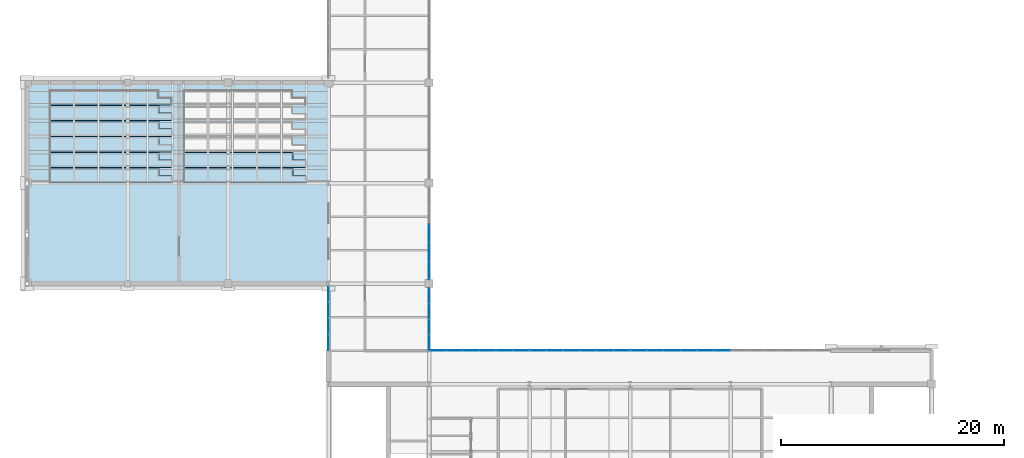
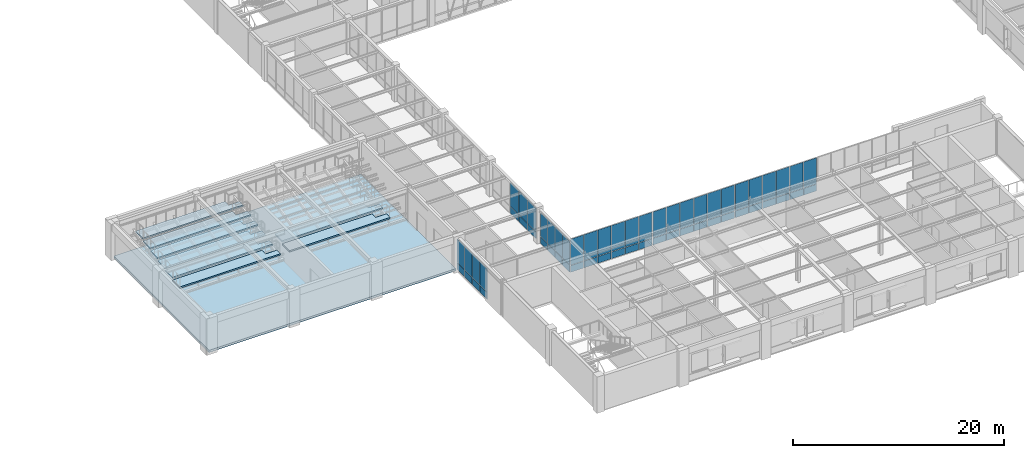
# One storey, part 101 of 130: 58 plates, 9 slabs, 6 elements without a shape of their own.
"""IFC4 building model written with IfcOpenShell, lengths in metres."""

import ifcopenshell
import ifcopenshell.guid

model = None  # the IFC model being written
_history = None  # IfcOwnerHistory: only IFC2X3 demands one
_inside = {}  # id of a spatial element -> (the spatial element, [elements in it])
_under = {}  # id of a project, library or spatial element -> (it, [spatial elements below it])
_declared = {}  # id of a project -> (the project, [libraries it declares])
_typed = {}  # id of a type object -> (the type object, [elements of that type])
_made_of = {}  # id of a material, layer set ... -> (it, [elements and type objects made of it])


def new_model(schema):
    """Start an empty IFC model of exactly this schema.

    Asked for "IFC4X3", IfcOpenShell would pick the latest addendum, in which some entities
    have other attributes; the version numbers below select the first issue.
    IFC2X3 requires an IfcOwnerHistory on every rooted entity: one is made here for all.
    """
    global model, _history
    if schema == "IFC4X3":
        model = ifcopenshell.file(schema_version=(4, 3, 0, 0))
    else:
        model = ifcopenshell.file(schema=schema)
    _inside.clear()
    _under.clear()
    _declared.clear()
    _typed.clear()
    _made_of.clear()
    _history = None
    if model.schema == "IFC2X3":
        org = make("IfcOrganization", Name="unknown")
        user = make(
            "IfcPersonAndOrganization",
            ThePerson=make("IfcPerson", FamilyName="unknown"),
            TheOrganization=org,
        )
        app = make(
            "IfcApplication",
            ApplicationDeveloper=org,
            Version="unknown",
            ApplicationFullName="unknown",
            ApplicationIdentifier="unknown",
        )
        _history = make(
            "IfcOwnerHistory",
            OwningUser=user,
            OwningApplication=app,
            ChangeAction="ADDED",
            CreationDate=0,
        )
    return model


def make(cls, **values):
    """One entity of the class cls with the attributes given. An attribute that is None is left unset."""
    return model.create_entity(
        cls, **{name: value for name, value in values.items() if value is not None}
    )


def rooted(cls, **values):
    """An entity with a GlobalId (a new one), such as an element, a storey or a relation."""
    return make(cls, GlobalId=ifcopenshell.guid.new(), OwnerHistory=_history, **values)


def si_unit(unit_type, name, prefix=None):
    """IfcSIUnit, for example si_unit("LENGTHUNIT", "METRE", prefix="MILLI")."""
    return make("IfcSIUnit", UnitType=unit_type, Prefix=prefix, Name=name)


def assignment(units):
    """IfcUnitAssignment: the units of a project."""
    return None if units is None else make("IfcUnitAssignment", Units=units)


def point(xyz):
    """IfcCartesianPoint."""
    return None if xyz is None else make("IfcCartesianPoint", Coordinates=xyz)


def direction(xyz):
    """IfcDirection."""
    return None if xyz is None else make("IfcDirection", DirectionRatios=xyz)


def frame(location, z_axis=None, x_axis=None):
    """IfcAxis2Placement3D, a coordinate frame: its origin and axes. An axis left out is left unset."""
    return make(
        "IfcAxis2Placement3D",
        Location=point(location),
        Axis=direction(z_axis),
        RefDirection=direction(x_axis),
    )


def frame_2d(location, x_axis=None):
    """IfcAxis2Placement2D, a coordinate frame in the plane: its origin and x axis."""
    return make(
        "IfcAxis2Placement2D", Location=point(location), RefDirection=direction(x_axis)
    )


def origin():
    """The frame at (0, 0, 0) with its axes left unset."""
    return frame((0.0, 0.0, 0.0))


def origin_2d():
    """The frame at (0, 0) in the plane with its x axis left unset."""
    return frame_2d((0.0, 0.0))


def place(relative_to, where):
    """IfcLocalPlacement: puts the frame where relative to a parent placement (None: the world)."""
    return make(
        "IfcLocalPlacement", PlacementRelTo=relative_to, RelativePlacement=where
    )


def context(
    kind, dimensions, precision=None, world=None, true_north=None, identifier=None
):
    """IfcGeometricRepresentationContext, for example the 3D "Model" context."""
    return make(
        "IfcGeometricRepresentationContext",
        ContextIdentifier=identifier,
        ContextType=kind,
        CoordinateSpaceDimension=dimensions,
        Precision=precision,
        WorldCoordinateSystem=world,
        TrueNorth=true_north,
    )


def subcontext(parent, identifier, kind, view, scale=None):
    """IfcGeometricRepresentationSubContext, for example "Body" below "Model"."""
    return make(
        "IfcGeometricRepresentationSubContext",
        ContextIdentifier=identifier,
        ContextType=kind,
        ParentContext=parent,
        TargetScale=scale,
        TargetView=view,
    )


def project(units=None, contexts=None):
    """IfcProject with its units and contexts."""
    return rooted(
        "IfcProject",
        Name="project",
        RepresentationContexts=contexts,
        UnitsInContext=assignment(units),
    )


def spatial(cls, under=None, at=None, **own):
    """A site, building, storey or space (cls), placed at a placement, below another one or the project."""
    s = rooted(cls, ObjectPlacement=at, **own)
    if under is not None:
        _under.setdefault(under.id(), (under, []))[1].append(s)
    return s


def polyline(points):
    """IfcPolyline through the points."""
    return make("IfcPolyline", Points=[point(p) for p in points])


def profile(cls, at=None, kind="AREA", **sizes):
    """A parametric profile (cls). Its sizes go by their IFC names, for example OverallWidth=200.0."""
    return make(cls, ProfileType=kind, Position=at, **sizes)


def rectangle(**sizes):
    """IfcRectangleProfileDef."""
    return profile("IfcRectangleProfileDef", **sizes)


def outline(outer, holes=None, kind="AREA"):
    """IfcArbitraryClosedProfileDef: a profile drawn as a closed curve; with holes, ...WithVoids."""
    if holes is None:
        return make("IfcArbitraryClosedProfileDef", ProfileType=kind, OuterCurve=outer)
    return make(
        "IfcArbitraryProfileDefWithVoids",
        ProfileType=kind,
        OuterCurve=outer,
        InnerCurves=holes,
    )


def extrude(swept, where, along, depth):
    """IfcExtrudedAreaSolid: the profile swept, set in the frame where, extruded along a direction by depth."""
    return make(
        "IfcExtrudedAreaSolid",
        SweptArea=swept,
        Position=where,
        ExtrudedDirection=direction(along),
        Depth=depth,
    )


def shape(context_of_items, identifier, shape_type, items):
    """IfcShapeRepresentation: the items that make up one representation, for example the "Body"."""
    return make(
        "IfcShapeRepresentation",
        ContextOfItems=context_of_items,
        RepresentationIdentifier=identifier,
        RepresentationType=shape_type,
        Items=items,
    )


def material(Name=None, Category=None):
    """IfcMaterial."""
    return make("IfcMaterial", Name=Name, Category=Category)


def layer(
    of_material, thickness, ventilated=None, Name=None, Category=None, Priority=None
):
    """IfcMaterialLayer: one layer of a wall or slab, of a material (None: an air gap)."""
    return make(
        "IfcMaterialLayer",
        Material=of_material,
        LayerThickness=thickness,
        IsVentilated=ventilated,
        Name=Name,
        Category=Category,
        Priority=Priority,
    )


def layer_set(layers, Name=None):
    """IfcMaterialLayerSet."""
    return make("IfcMaterialLayerSet", MaterialLayers=layers, LayerSetName=Name)


def made_of(thing, what):
    """Note that an element or type object is made of a material, layer set ...; save() writes the relation."""
    if what is not None:
        _made_of.setdefault(what.id(), (what, []))[1].append(thing)
    return thing


def type_object(cls, material=None, **own):
    """A type object (cls), such as IfcWallType, which elements share."""
    return made_of(rooted(cls, **own), material)


def element(
    cls,
    number,
    at=None,
    inside=None,
    cuts=None,
    type_object=None,
    material=None,
    context=None,
    identifier="Body",
    shape_type=None,
    held_by="IfcProductDefinitionShape",
    body=None,
    shapes=None,
    **own,
):
    """One element of the class cls, such as IfcWall. Its Tag is "e" and its number.

    at: its placement. inside: the storey or other place that contains it. cuts: it is an
    opening in that element (IfcRelVoidsElement). A single representation is given by context,
    identifier, shape_type and body (its items); several are given by shapes. held_by: the class
    of the entity that holds the representations. save() writes the other relations.
    """
    e = rooted(cls, Tag="e%d" % number, ObjectPlacement=at, **own)
    if body is not None:
        shapes = [shape(context, identifier, shape_type, body)]
    if shapes is not None:
        e.Representation = make(held_by, Representations=shapes)
    if inside is not None:
        _inside.setdefault(inside.id(), (inside, []))[1].append(e)
    if cuts is not None:
        rooted(
            "IfcRelVoidsElement", RelatingBuildingElement=cuts, RelatedOpeningElement=e
        )
    if type_object is not None:
        _typed.setdefault(type_object.id(), (type_object, []))[1].append(e)
    return made_of(e, material)


def aggregate(whole, parts):
    """IfcRelAggregates: a whole, such as a stair, and the parts it consists of."""
    return rooted("IfcRelAggregates", RelatingObject=whole, RelatedObjects=parts)


def save(model, path):
    """Write the relations noted so far, then the file.

    IfcRelAggregates (storeys below a building ...), IfcRelContainedInSpatialStructure (elements
    in a storey), IfcRelDefinesByType, IfcRelAssociatesMaterial and IfcRelDeclares: one each for
    every whole, place, type object, material and project.
    """
    for whole, parts in _under.values():
        aggregate(whole, parts)
    for where, things in _inside.values():
        rooted(
            "IfcRelContainedInSpatialStructure",
            RelatedElements=things,
            RelatingStructure=where,
        )
    for kind, things in _typed.values():
        rooted("IfcRelDefinesByType", RelatedObjects=things, RelatingType=kind)
    for what, things in _made_of.values():
        rooted("IfcRelAssociatesMaterial", RelatedObjects=things, RelatingMaterial=what)
    for by, libraries in _declared.values():
        rooted("IfcRelDeclares", RelatingContext=by, RelatedDefinitions=libraries)
    model.write(path)


model = new_model("IFC4")

# Units and contexts
model_context = context("Model", 3, precision=1e-05, world=origin(), true_north=direction((0.0, 1.0)))
body_context = subcontext(model_context, "Body", "Model", "MODEL_VIEW")
ifc_project = project(units=[si_unit("LENGTHUNIT", "METRE"), si_unit("AREAUNIT", "SQUARE_METRE"), si_unit("VOLUMEUNIT", "CUBIC_METRE"), si_unit("PLANEANGLEUNIT", "RADIAN"), si_unit("MASSUNIT", "GRAM", prefix="KILO")], contexts=[model_context])

# Site, building, storey
site_placement = place(None, origin())
site = spatial("IfcSite", under=ifc_project, at=site_placement, CompositionType="ELEMENT")
building_placement = place(site_placement, origin())
building = spatial("IfcBuilding", under=site, at=building_placement, Name="Lykobir Media Centre", CompositionType="ELEMENT")
storey_placement = place(building_placement, frame((0.0, 0.0, 19.199951171875)))
storey = spatial("IfcBuildingStorey", under=building, at=storey_placement, Name="L04", CompositionType="ELEMENT", Elevation=19.199951171875)

# Curtain wall, plates
ifc_material_1 = material(Name="Anodized Aluminium AW-6060", Category="aluminium")
curtain_wall_type = type_object("IfcCurtainWallType", Name="CW-COURT-B", PredefinedType="NOTDEFINED", material=ifc_material_1)
curtain_wall_1_placement = place(storey_placement, origin())
curtain_wall_1 = element("IfcCurtainWall", 1, at=curtain_wall_1_placement, inside=storey, type_object=curtain_wall_type, Name="Curtain wall CW2-L04-0149", PredefinedType="NOTDEFINED")
ifc_material_2 = material(Name="Low-E Laminated Triple Glazing", Category="glass")
ifc_layer_1 = layer(ifc_material_2, 0.0380859375, Name="Low-E Laminated Triple Glazing")
ifc_layer_set_1 = layer_set([ifc_layer_1], Name="Low-E Laminated Triple Glazing")
plate_type_1 = type_object("IfcPlateType", Name="CWP-GLZ-38", PredefinedType="CURTAIN_PANEL", material=ifc_layer_set_1)
plate_1_placement = place(storey_placement, frame((27.0, 21.73779296875, 0.87744140625), z_axis=(0.0, 0.0, 1.0), x_axis=(0.0, 1.0, 0.0)))
plate_1 = element("IfcPlate", 2, at=plate_1_placement, type_object=plate_type_1, Name="CW2-L04-0149 panel 1.2", PredefinedType="CURTAIN_PANEL", context=body_context, shape_type="SweptSolid", body=[
    extrude(rectangle(XDim=1.365478515625, YDim=0.0380859375, at=origin_2d()), origin(), (0.0, 0.0, 1.0), 2.702392578125),
])
plate_2_placement = place(storey_placement, frame((27.0, 23.171875, 0.87744140625), z_axis=(0.0, 0.0, 1.0), x_axis=(0.0, 1.0, 0.0)))
plate_2 = element("IfcPlate", 3, at=plate_2_placement, type_object=plate_type_1, Name="CW2-L04-0149 panel 2.2", PredefinedType="CURTAIN_PANEL", context=body_context, shape_type="SweptSolid", body=[
    extrude(rectangle(XDim=1.392822265625, YDim=0.0380859375, at=origin_2d()), origin(), (0.0, 0.0, 1.0), 2.702392578125),
])
plate_3_placement = place(storey_placement, frame((27.0, 24.61962890625, 0.87744140625), z_axis=(0.0, 0.0, 1.0), x_axis=(0.0, 1.0, 0.0)))
plate_3 = element("IfcPlate", 4, at=plate_3_placement, type_object=plate_type_1, Name="CW2-L04-0149 panel 3.2", PredefinedType="CURTAIN_PANEL", context=body_context, shape_type="SweptSolid", body=[
    extrude(rectangle(XDim=1.392822265625, YDim=0.0380859375, at=origin_2d()), origin(), (0.0, 0.0, 1.0), 2.702392578125),
])
plate_4_placement = place(storey_placement, frame((27.0, 26.0537109375, 0.87744140625), z_axis=(0.0, 0.0, 1.0), x_axis=(0.0, 1.0, 0.0)))
plate_4 = element("IfcPlate", 5, at=plate_4_placement, type_object=plate_type_1, Name="CW2-L04-0149 panel 4.2", PredefinedType="CURTAIN_PANEL", context=body_context, shape_type="SweptSolid", body=[
    extrude(rectangle(XDim=1.365478515625, YDim=0.0380859375, at=origin_2d()), origin(), (0.0, 0.0, 1.0), 2.702392578125),
])

curtain_wall_2_placement = place(storey_placement, origin())
curtain_wall_2 = element("IfcCurtainWall", 6, at=curtain_wall_2_placement, inside=storey, type_object=curtain_wall_type, Name="Curtain wall CW2-L04-0150", PredefinedType="NOTDEFINED")
plate_5_placement = place(storey_placement, frame((36.763916015625, 21.0, 0.87744140625), z_axis=(0.0, 0.0, 1.0), x_axis=(1.0, 0.0, 0.0)))
plate_5 = element("IfcPlate", 7, at=plate_5_placement, type_object=plate_type_1, Name="CW2-L04-0150 panel 1.2", PredefinedType="CURTAIN_PANEL", context=body_context, shape_type="SweptSolid", body=[
    extrude(rectangle(XDim=1.41748046875, YDim=0.0380859375, at=origin_2d()), origin(), (0.0, 0.0, 1.0), 3.007568359375),
])
plate_6_placement = place(storey_placement, frame((38.25, 21.0, 0.87744140625), z_axis=(0.0, 0.0, 1.0), x_axis=(1.0, 0.0, 0.0)))
plate_6 = element("IfcPlate", 8, at=plate_6_placement, type_object=plate_type_1, Name="CW2-L04-0150 panel 2.2", PredefinedType="CURTAIN_PANEL", context=body_context, shape_type="SweptSolid", body=[
    extrude(rectangle(XDim=1.445068359375, YDim=0.0380859375, at=origin_2d()), origin(), (0.0, 0.0, 1.0), 3.007568359375),
])
plate_7_placement = place(storey_placement, frame((39.75, 21.0, 0.87744140625), z_axis=(0.0, 0.0, 1.0), x_axis=(1.0, 0.0, 0.0)))
plate_7 = element("IfcPlate", 9, at=plate_7_placement, type_object=plate_type_1, Name="CW2-L04-0150 panel 3.2", PredefinedType="CURTAIN_PANEL", context=body_context, shape_type="SweptSolid", body=[
    extrude(rectangle(XDim=1.445068359375, YDim=0.0380859375, at=origin_2d()), origin(), (0.0, 0.0, 1.0), 3.007568359375),
])
plate_8_placement = place(storey_placement, frame((41.25, 21.0, 0.87744140625), z_axis=(0.0, 0.0, 1.0), x_axis=(1.0, 0.0, 0.0)))
plate_8 = element("IfcPlate", 10, at=plate_8_placement, type_object=plate_type_1, Name="CW2-L04-0150 panel 4.2", PredefinedType="CURTAIN_PANEL", context=body_context, shape_type="SweptSolid", body=[
    extrude(rectangle(XDim=1.445068359375, YDim=0.0380859375, at=origin_2d()), origin(), (0.0, 0.0, 1.0), 3.007568359375),
])
plate_9_placement = place(storey_placement, frame((42.75, 21.0, 0.87744140625), z_axis=(0.0, 0.0, 1.0), x_axis=(1.0, 0.0, 0.0)))
plate_9 = element("IfcPlate", 11, at=plate_9_placement, type_object=plate_type_1, Name="CW2-L04-0150 panel 5.2", PredefinedType="CURTAIN_PANEL", context=body_context, shape_type="SweptSolid", body=[
    extrude(rectangle(XDim=1.445068359375, YDim=0.0380859375, at=origin_2d()), origin(), (0.0, 0.0, 1.0), 3.007568359375),
])
plate_10_placement = place(storey_placement, frame((44.236083984375, 21.0, 0.87744140625), z_axis=(0.0, 0.0, 1.0), x_axis=(1.0, 0.0, 0.0)))
plate_10 = element("IfcPlate", 12, at=plate_10_placement, type_object=plate_type_1, Name="CW2-L04-0150 panel 6.2", PredefinedType="CURTAIN_PANEL", context=body_context, shape_type="SweptSolid", body=[
    extrude(rectangle(XDim=1.41748046875, YDim=0.0380859375, at=origin_2d()), origin(), (0.0, 0.0, 1.0), 3.007568359375),
])

curtain_wall_3_placement = place(storey_placement, origin())
curtain_wall_3 = element("IfcCurtainWall", 13, at=curtain_wall_3_placement, inside=storey, type_object=curtain_wall_type, Name="Curtain wall CW2-L04-0151", PredefinedType="NOTDEFINED")
plate_11_placement = place(storey_placement, frame((45.763916015625, 21.0, 0.87744140625), z_axis=(0.0, 0.0, 1.0), x_axis=(1.0, 0.0, 0.0)))
plate_11 = element("IfcPlate", 14, at=plate_11_placement, type_object=plate_type_1, Name="CW2-L04-0151 panel 1.2", PredefinedType="CURTAIN_PANEL", context=body_context, shape_type="SweptSolid", body=[
    extrude(rectangle(XDim=1.41748046875, YDim=0.0380859375, at=origin_2d()), origin(), (0.0, 0.0, 1.0), 3.007568359375),
])
plate_12_placement = place(storey_placement, frame((47.25, 21.0, 0.87744140625), z_axis=(0.0, 0.0, 1.0), x_axis=(1.0, 0.0, 0.0)))
plate_12 = element("IfcPlate", 15, at=plate_12_placement, type_object=plate_type_1, Name="CW2-L04-0151 panel 2.2", PredefinedType="CURTAIN_PANEL", context=body_context, shape_type="SweptSolid", body=[
    extrude(rectangle(XDim=1.445068359375, YDim=0.0380859375, at=origin_2d()), origin(), (0.0, 0.0, 1.0), 3.007568359375),
])
plate_13_placement = place(storey_placement, frame((48.75, 21.0, 0.87744140625), z_axis=(0.0, 0.0, 1.0), x_axis=(1.0, 0.0, 0.0)))
plate_13 = element("IfcPlate", 16, at=plate_13_placement, type_object=plate_type_1, Name="CW2-L04-0151 panel 3.2", PredefinedType="CURTAIN_PANEL", context=body_context, shape_type="SweptSolid", body=[
    extrude(rectangle(XDim=1.445068359375, YDim=0.0380859375, at=origin_2d()), origin(), (0.0, 0.0, 1.0), 3.007568359375),
])
plate_14_placement = place(storey_placement, frame((50.25, 21.0, 0.87744140625), z_axis=(0.0, 0.0, 1.0), x_axis=(1.0, 0.0, 0.0)))
plate_14 = element("IfcPlate", 17, at=plate_14_placement, type_object=plate_type_1, Name="CW2-L04-0151 panel 4.2", PredefinedType="CURTAIN_PANEL", context=body_context, shape_type="SweptSolid", body=[
    extrude(rectangle(XDim=1.445068359375, YDim=0.0380859375, at=origin_2d()), origin(), (0.0, 0.0, 1.0), 3.007568359375),
])
plate_15_placement = place(storey_placement, frame((51.75, 21.0, 0.87744140625), z_axis=(0.0, 0.0, 1.0), x_axis=(1.0, 0.0, 0.0)))
plate_15 = element("IfcPlate", 18, at=plate_15_placement, type_object=plate_type_1, Name="CW2-L04-0151 panel 5.2", PredefinedType="CURTAIN_PANEL", context=body_context, shape_type="SweptSolid", body=[
    extrude(rectangle(XDim=1.445068359375, YDim=0.0380859375, at=origin_2d()), origin(), (0.0, 0.0, 1.0), 3.007568359375),
])
plate_16_placement = place(storey_placement, frame((53.236083984375, 21.0, 0.87744140625), z_axis=(0.0, 0.0, 1.0), x_axis=(1.0, 0.0, 0.0)))
plate_16 = element("IfcPlate", 19, at=plate_16_placement, type_object=plate_type_1, Name="CW2-L04-0151 panel 6.2", PredefinedType="CURTAIN_PANEL", context=body_context, shape_type="SweptSolid", body=[
    extrude(rectangle(XDim=1.41748046875, YDim=0.0380859375, at=origin_2d()), origin(), (0.0, 0.0, 1.0), 3.007568359375),
])

curtain_wall_4_placement = place(storey_placement, origin())
curtain_wall_4 = element("IfcCurtainWall", 20, at=curtain_wall_4_placement, inside=storey, type_object=curtain_wall_type, Name="Curtain wall CW2-L04-0152", PredefinedType="NOTDEFINED")
plate_17_placement = place(storey_placement, frame((54.763916015625, 21.0, 0.87744140625), z_axis=(0.0, 0.0, 1.0), x_axis=(1.0, 0.0, 0.0)))
plate_17 = element("IfcPlate", 21, at=plate_17_placement, type_object=plate_type_1, Name="CW2-L04-0152 panel 1.2", PredefinedType="CURTAIN_PANEL", context=body_context, shape_type="SweptSolid", body=[
    extrude(rectangle(XDim=1.41748046875, YDim=0.0380859375, at=origin_2d()), origin(), (0.0, 0.0, 1.0), 3.007568359375),
])
plate_18_placement = place(storey_placement, frame((56.25, 21.0, 0.87744140625), z_axis=(0.0, 0.0, 1.0), x_axis=(1.0, 0.0, 0.0)))
plate_18 = element("IfcPlate", 22, at=plate_18_placement, type_object=plate_type_1, Name="CW2-L04-0152 panel 2.2", PredefinedType="CURTAIN_PANEL", context=body_context, shape_type="SweptSolid", body=[
    extrude(rectangle(XDim=1.445068359375, YDim=0.0380859375, at=origin_2d()), origin(), (0.0, 0.0, 1.0), 3.007568359375),
])
plate_19_placement = place(storey_placement, frame((57.75, 21.0, 0.87744140625), z_axis=(0.0, 0.0, 1.0), x_axis=(1.0, 0.0, 0.0)))
plate_19 = element("IfcPlate", 23, at=plate_19_placement, type_object=plate_type_1, Name="CW2-L04-0152 panel 3.2", PredefinedType="CURTAIN_PANEL", context=body_context, shape_type="SweptSolid", body=[
    extrude(rectangle(XDim=1.445068359375, YDim=0.0380859375, at=origin_2d()), origin(), (0.0, 0.0, 1.0), 3.007568359375),
])
plate_20_placement = place(storey_placement, frame((59.25, 21.0, 0.87744140625), z_axis=(0.0, 0.0, 1.0), x_axis=(1.0, 0.0, 0.0)))
plate_20 = element("IfcPlate", 24, at=plate_20_placement, type_object=plate_type_1, Name="CW2-L04-0152 panel 4.2", PredefinedType="CURTAIN_PANEL", context=body_context, shape_type="SweptSolid", body=[
    extrude(rectangle(XDim=1.445068359375, YDim=0.0380859375, at=origin_2d()), origin(), (0.0, 0.0, 1.0), 3.007568359375),
])
plate_21_placement = place(storey_placement, frame((60.75, 21.0, 0.87744140625), z_axis=(0.0, 0.0, 1.0), x_axis=(1.0, 0.0, 0.0)))
plate_21 = element("IfcPlate", 25, at=plate_21_placement, type_object=plate_type_1, Name="CW2-L04-0152 panel 5.2", PredefinedType="CURTAIN_PANEL", context=body_context, shape_type="SweptSolid", body=[
    extrude(rectangle(XDim=1.445068359375, YDim=0.0380859375, at=origin_2d()), origin(), (0.0, 0.0, 1.0), 3.007568359375),
])
plate_22_placement = place(storey_placement, frame((62.236083984375, 21.0, 0.87744140625), z_axis=(0.0, 0.0, 1.0), x_axis=(1.0, 0.0, 0.0)))
plate_22 = element("IfcPlate", 26, at=plate_22_placement, type_object=plate_type_1, Name="CW2-L04-0152 panel 6.2", PredefinedType="CURTAIN_PANEL", context=body_context, shape_type="SweptSolid", body=[
    extrude(rectangle(XDim=1.41748046875, YDim=0.0380859375, at=origin_2d()), origin(), (0.0, 0.0, 1.0), 3.007568359375),
])

curtain_wall_5_placement = place(storey_placement, origin())
curtain_wall_5 = element("IfcCurtainWall", 27, at=curtain_wall_5_placement, inside=storey, type_object=curtain_wall_type, Name="Curtain wall CW2-L04-0154", PredefinedType="NOTDEFINED")
plate_23_placement = place(storey_placement, frame((36.0, 25.925537109375, 0.87744140625), z_axis=(0.0, 0.0, 1.0), x_axis=(0.0, -1.0, 0.0)))
plate_23 = element("IfcPlate", 28, at=plate_23_placement, type_object=plate_type_1, Name="CW2-L04-0154 panel 1.2", PredefinedType="CURTAIN_PANEL", context=body_context, shape_type="SweptSolid", body=[
    extrude(rectangle(XDim=1.32861328125, YDim=0.0380859375, at=origin_2d()), origin(), (0.0, 0.0, 1.0), 2.722412109375),
])
plate_24_placement = place(storey_placement, frame((36.0, 24.528076171875, 0.87744140625), z_axis=(0.0, 0.0, 1.0), x_axis=(0.0, -1.0, 0.0)))
plate_24 = element("IfcPlate", 29, at=plate_24_placement, type_object=plate_type_1, Name="CW2-L04-0154 panel 2.2", PredefinedType="CURTAIN_PANEL", context=body_context, shape_type="SweptSolid", body=[
    extrude(rectangle(XDim=1.356201171875, YDim=0.0380859375, at=origin_2d()), origin(), (0.0, 0.0, 1.0), 2.722412109375),
])
plate_25_placement = place(storey_placement, frame((36.0, 23.116943359375, 0.87744140625), z_axis=(0.0, 0.0, 1.0), x_axis=(0.0, -1.0, 0.0)))
plate_25 = element("IfcPlate", 30, at=plate_25_placement, type_object=plate_type_1, Name="CW2-L04-0154 panel 3.2", PredefinedType="CURTAIN_PANEL", context=body_context, shape_type="SweptSolid", body=[
    extrude(rectangle(XDim=1.356201171875, YDim=0.0380859375, at=origin_2d()), origin(), (0.0, 0.0, 1.0), 2.722412109375),
])
plate_26_placement = place(storey_placement, frame((36.0, 21.719482421875, 0.87744140625), z_axis=(0.0, 0.0, 1.0), x_axis=(0.0, -1.0, 0.0)))
plate_26 = element("IfcPlate", 31, at=plate_26_placement, type_object=plate_type_1, Name="CW2-L04-0154 panel 4.2", PredefinedType="CURTAIN_PANEL", context=body_context, shape_type="SweptSolid", body=[
    extrude(rectangle(XDim=1.328857421875, YDim=0.0380859375, at=origin_2d()), origin(), (0.0, 0.0, 1.0), 2.722412109375),
])

curtain_wall_6_placement = place(storey_placement, origin())
curtain_wall_6 = element("IfcCurtainWall", 32, at=curtain_wall_6_placement, inside=storey, type_object=curtain_wall_type, Name="Curtain wall CW2-L04-0155", PredefinedType="NOTDEFINED")
plate_27_placement = place(storey_placement, frame((36.0, 31.5, 0.87744140625), z_axis=(0.0, 0.0, 1.0), x_axis=(0.0, -1.0, 0.0)))
plate_27 = element("IfcPlate", 33, at=plate_27_placement, type_object=plate_type_1, Name="CW2-L04-0155 panel 3.2", PredefinedType="CURTAIN_PANEL", context=body_context, shape_type="SweptSolid", body=[
    extrude(rectangle(XDim=1.60302734375, YDim=0.0380859375, at=origin_2d()), origin(), (0.0, 0.0, 1.0), 2.722412109375),
])
plate_28_placement = place(storey_placement, frame((36.0, 29.842041015625, 0.87744140625), z_axis=(0.0, 0.0, 1.0), x_axis=(0.0, -1.0, 0.0)))
plate_28 = element("IfcPlate", 34, at=plate_28_placement, type_object=plate_type_1, Name="CW2-L04-0155 panel 4.2", PredefinedType="CURTAIN_PANEL", context=body_context, shape_type="SweptSolid", body=[
    extrude(rectangle(XDim=1.60302734375, YDim=0.0380859375, at=origin_2d()), origin(), (0.0, 0.0, 1.0), 2.722412109375),
])
plate_29_placement = place(storey_placement, frame((36.0, 28.19775390625, 0.87744140625), z_axis=(0.0, 0.0, 1.0), x_axis=(0.0, -1.0, 0.0)))
plate_29 = element("IfcPlate", 35, at=plate_29_placement, type_object=plate_type_1, Name="CW2-L04-0155 panel 5.2", PredefinedType="CURTAIN_PANEL", context=body_context, shape_type="SweptSolid", body=[
    extrude(rectangle(XDim=1.575439453125, YDim=0.0380859375, at=origin_2d()), origin(), (0.0, 0.0, 1.0), 2.722412109375),
])

# Plate
ifc_material_3 = material(Name="Pre-Weathered Titanium-Zinc", Category="metal")
ifc_layer_2 = layer(ifc_material_3, 0.052001953125, Name="Pre-Weathered Titanium-Zinc")
ifc_layer_set_2 = layer_set([ifc_layer_2], Name="Pre-Weathered Titanium-Zinc")
plate_type_2 = type_object("IfcPlateType", Name="CWP-SPN-52", PredefinedType="CURTAIN_PANEL", material=ifc_layer_set_2)
plate_30_placement = place(storey_placement, frame((27.0, 21.73779296875, 0.054931640625), z_axis=(0.0, 0.0, 1.0), x_axis=(0.0, 1.0, 0.0)))
plate_30 = element("IfcPlate", 36, at=plate_30_placement, type_object=plate_type_2, Name="CW2-L04-0149 panel 1.1", PredefinedType="CURTAIN_PANEL", context=body_context, shape_type="SweptSolid", body=[
    extrude(rectangle(XDim=1.365478515625, YDim=0.052001953125, at=origin_2d()), origin(), (0.0, 0.0, 1.0), 0.767578125),
])

plate_31_placement = place(storey_placement, frame((27.0, 23.171875, 0.054931640625), z_axis=(0.0, 0.0, 1.0), x_axis=(0.0, 1.0, 0.0)))
plate_31 = element("IfcPlate", 37, at=plate_31_placement, type_object=plate_type_2, Name="CW2-L04-0149 panel 2.1", PredefinedType="CURTAIN_PANEL", context=body_context, shape_type="SweptSolid", body=[
    extrude(rectangle(XDim=1.392822265625, YDim=0.052001953125, at=origin_2d()), origin(), (0.0, 0.0, 1.0), 0.767578125),
])

plate_32_placement = place(storey_placement, frame((27.0, 24.61962890625, 0.054931640625), z_axis=(0.0, 0.0, 1.0), x_axis=(0.0, 1.0, 0.0)))
plate_32 = element("IfcPlate", 38, at=plate_32_placement, type_object=plate_type_2, Name="CW2-L04-0149 panel 3.1", PredefinedType="CURTAIN_PANEL", context=body_context, shape_type="SweptSolid", body=[
    extrude(rectangle(XDim=1.392822265625, YDim=0.052001953125, at=origin_2d()), origin(), (0.0, 0.0, 1.0), 0.767578125),
])

plate_33_placement = place(storey_placement, frame((27.0, 26.0537109375, 0.054931640625), z_axis=(0.0, 0.0, 1.0), x_axis=(0.0, 1.0, 0.0)))
plate_33 = element("IfcPlate", 39, at=plate_33_placement, type_object=plate_type_2, Name="CW2-L04-0149 panel 4.1", PredefinedType="CURTAIN_PANEL", context=body_context, shape_type="SweptSolid", body=[
    extrude(rectangle(XDim=1.365478515625, YDim=0.052001953125, at=origin_2d()), origin(), (0.0, 0.0, 1.0), 0.767578125),
])

aggregate(curtain_wall_1, [plate_30, plate_1, plate_31, plate_2, plate_32, plate_3, plate_33, plate_4])

plate_34_placement = place(storey_placement, frame((36.763916015625, 21.0, 0.054931640625), z_axis=(0.0, 0.0, 1.0), x_axis=(1.0, 0.0, 0.0)))
plate_34 = element("IfcPlate", 40, at=plate_34_placement, type_object=plate_type_2, Name="CW2-L04-0150 panel 1.1", PredefinedType="CURTAIN_PANEL", context=body_context, shape_type="SweptSolid", body=[
    extrude(rectangle(XDim=1.41748046875, YDim=0.052001953125, at=origin_2d()), origin(), (0.0, 0.0, 1.0), 0.767578125),
])

plate_35_placement = place(storey_placement, frame((38.25, 21.0, 0.054931640625), z_axis=(0.0, 0.0, 1.0), x_axis=(1.0, 0.0, 0.0)))
plate_35 = element("IfcPlate", 41, at=plate_35_placement, type_object=plate_type_2, Name="CW2-L04-0150 panel 2.1", PredefinedType="CURTAIN_PANEL", context=body_context, shape_type="SweptSolid", body=[
    extrude(rectangle(XDim=1.445068359375, YDim=0.052001953125, at=origin_2d()), origin(), (0.0, 0.0, 1.0), 0.767578125),
])

plate_36_placement = place(storey_placement, frame((39.75, 21.0, 0.054931640625), z_axis=(0.0, 0.0, 1.0), x_axis=(1.0, 0.0, 0.0)))
plate_36 = element("IfcPlate", 42, at=plate_36_placement, type_object=plate_type_2, Name="CW2-L04-0150 panel 3.1", PredefinedType="CURTAIN_PANEL", context=body_context, shape_type="SweptSolid", body=[
    extrude(rectangle(XDim=1.445068359375, YDim=0.052001953125, at=origin_2d()), origin(), (0.0, 0.0, 1.0), 0.767578125),
])

plate_37_placement = place(storey_placement, frame((41.25, 21.0, 0.054931640625), z_axis=(0.0, 0.0, 1.0), x_axis=(1.0, 0.0, 0.0)))
plate_37 = element("IfcPlate", 43, at=plate_37_placement, type_object=plate_type_2, Name="CW2-L04-0150 panel 4.1", PredefinedType="CURTAIN_PANEL", context=body_context, shape_type="SweptSolid", body=[
    extrude(rectangle(XDim=1.445068359375, YDim=0.052001953125, at=origin_2d()), origin(), (0.0, 0.0, 1.0), 0.767578125),
])

plate_38_placement = place(storey_placement, frame((42.75, 21.0, 0.054931640625), z_axis=(0.0, 0.0, 1.0), x_axis=(1.0, 0.0, 0.0)))
plate_38 = element("IfcPlate", 44, at=plate_38_placement, type_object=plate_type_2, Name="CW2-L04-0150 panel 5.1", PredefinedType="CURTAIN_PANEL", context=body_context, shape_type="SweptSolid", body=[
    extrude(rectangle(XDim=1.445068359375, YDim=0.052001953125, at=origin_2d()), origin(), (0.0, 0.0, 1.0), 0.767578125),
])

plate_39_placement = place(storey_placement, frame((44.236083984375, 21.0, 0.054931640625), z_axis=(0.0, 0.0, 1.0), x_axis=(1.0, 0.0, 0.0)))
plate_39 = element("IfcPlate", 45, at=plate_39_placement, type_object=plate_type_2, Name="CW2-L04-0150 panel 6.1", PredefinedType="CURTAIN_PANEL", context=body_context, shape_type="SweptSolid", body=[
    extrude(rectangle(XDim=1.41748046875, YDim=0.052001953125, at=origin_2d()), origin(), (0.0, 0.0, 1.0), 0.767578125),
])

aggregate(curtain_wall_2, [plate_34, plate_5, plate_35, plate_6, plate_36, plate_7, plate_37, plate_8, plate_38, plate_9, plate_39, plate_10])

plate_40_placement = place(storey_placement, frame((45.763916015625, 21.0, 0.054931640625), z_axis=(0.0, 0.0, 1.0), x_axis=(1.0, 0.0, 0.0)))
plate_40 = element("IfcPlate", 46, at=plate_40_placement, type_object=plate_type_2, Name="CW2-L04-0151 panel 1.1", PredefinedType="CURTAIN_PANEL", context=body_context, shape_type="SweptSolid", body=[
    extrude(rectangle(XDim=1.41748046875, YDim=0.052001953125, at=origin_2d()), origin(), (0.0, 0.0, 1.0), 0.767578125),
])

plate_41_placement = place(storey_placement, frame((47.25, 21.0, 0.054931640625), z_axis=(0.0, 0.0, 1.0), x_axis=(1.0, 0.0, 0.0)))
plate_41 = element("IfcPlate", 47, at=plate_41_placement, type_object=plate_type_2, Name="CW2-L04-0151 panel 2.1", PredefinedType="CURTAIN_PANEL", context=body_context, shape_type="SweptSolid", body=[
    extrude(rectangle(XDim=1.445068359375, YDim=0.052001953125, at=origin_2d()), origin(), (0.0, 0.0, 1.0), 0.767578125),
])

plate_42_placement = place(storey_placement, frame((48.75, 21.0, 0.054931640625), z_axis=(0.0, 0.0, 1.0), x_axis=(1.0, 0.0, 0.0)))
plate_42 = element("IfcPlate", 48, at=plate_42_placement, type_object=plate_type_2, Name="CW2-L04-0151 panel 3.1", PredefinedType="CURTAIN_PANEL", context=body_context, shape_type="SweptSolid", body=[
    extrude(rectangle(XDim=1.445068359375, YDim=0.052001953125, at=origin_2d()), origin(), (0.0, 0.0, 1.0), 0.767578125),
])

plate_43_placement = place(storey_placement, frame((50.25, 21.0, 0.054931640625), z_axis=(0.0, 0.0, 1.0), x_axis=(1.0, 0.0, 0.0)))
plate_43 = element("IfcPlate", 49, at=plate_43_placement, type_object=plate_type_2, Name="CW2-L04-0151 panel 4.1", PredefinedType="CURTAIN_PANEL", context=body_context, shape_type="SweptSolid", body=[
    extrude(rectangle(XDim=1.445068359375, YDim=0.052001953125, at=origin_2d()), origin(), (0.0, 0.0, 1.0), 0.767578125),
])

plate_44_placement = place(storey_placement, frame((51.75, 21.0, 0.054931640625), z_axis=(0.0, 0.0, 1.0), x_axis=(1.0, 0.0, 0.0)))
plate_44 = element("IfcPlate", 50, at=plate_44_placement, type_object=plate_type_2, Name="CW2-L04-0151 panel 5.1", PredefinedType="CURTAIN_PANEL", context=body_context, shape_type="SweptSolid", body=[
    extrude(rectangle(XDim=1.445068359375, YDim=0.052001953125, at=origin_2d()), origin(), (0.0, 0.0, 1.0), 0.767578125),
])

plate_45_placement = place(storey_placement, frame((53.236083984375, 21.0, 0.054931640625), z_axis=(0.0, 0.0, 1.0), x_axis=(1.0, 0.0, 0.0)))
plate_45 = element("IfcPlate", 51, at=plate_45_placement, type_object=plate_type_2, Name="CW2-L04-0151 panel 6.1", PredefinedType="CURTAIN_PANEL", context=body_context, shape_type="SweptSolid", body=[
    extrude(rectangle(XDim=1.41748046875, YDim=0.052001953125, at=origin_2d()), origin(), (0.0, 0.0, 1.0), 0.767578125),
])

aggregate(curtain_wall_3, [plate_40, plate_11, plate_41, plate_12, plate_42, plate_13, plate_43, plate_14, plate_44, plate_15, plate_45, plate_16])

plate_46_placement = place(storey_placement, frame((54.763916015625, 21.0, 0.054931640625), z_axis=(0.0, 0.0, 1.0), x_axis=(1.0, 0.0, 0.0)))
plate_46 = element("IfcPlate", 52, at=plate_46_placement, type_object=plate_type_2, Name="CW2-L04-0152 panel 1.1", PredefinedType="CURTAIN_PANEL", context=body_context, shape_type="SweptSolid", body=[
    extrude(rectangle(XDim=1.41748046875, YDim=0.052001953125, at=origin_2d()), origin(), (0.0, 0.0, 1.0), 0.767578125),
])

plate_47_placement = place(storey_placement, frame((56.25, 21.0, 0.054931640625), z_axis=(0.0, 0.0, 1.0), x_axis=(1.0, 0.0, 0.0)))
plate_47 = element("IfcPlate", 53, at=plate_47_placement, type_object=plate_type_2, Name="CW2-L04-0152 panel 2.1", PredefinedType="CURTAIN_PANEL", context=body_context, shape_type="SweptSolid", body=[
    extrude(rectangle(XDim=1.445068359375, YDim=0.052001953125, at=origin_2d()), origin(), (0.0, 0.0, 1.0), 0.767578125),
])

plate_48_placement = place(storey_placement, frame((57.75, 21.0, 0.054931640625), z_axis=(0.0, 0.0, 1.0), x_axis=(1.0, 0.0, 0.0)))
plate_48 = element("IfcPlate", 54, at=plate_48_placement, type_object=plate_type_2, Name="CW2-L04-0152 panel 3.1", PredefinedType="CURTAIN_PANEL", context=body_context, shape_type="SweptSolid", body=[
    extrude(rectangle(XDim=1.445068359375, YDim=0.052001953125, at=origin_2d()), origin(), (0.0, 0.0, 1.0), 0.767578125),
])

plate_49_placement = place(storey_placement, frame((59.25, 21.0, 0.054931640625), z_axis=(0.0, 0.0, 1.0), x_axis=(1.0, 0.0, 0.0)))
plate_49 = element("IfcPlate", 55, at=plate_49_placement, type_object=plate_type_2, Name="CW2-L04-0152 panel 4.1", PredefinedType="CURTAIN_PANEL", context=body_context, shape_type="SweptSolid", body=[
    extrude(rectangle(XDim=1.445068359375, YDim=0.052001953125, at=origin_2d()), origin(), (0.0, 0.0, 1.0), 0.767578125),
])

plate_50_placement = place(storey_placement, frame((60.75, 21.0, 0.054931640625), z_axis=(0.0, 0.0, 1.0), x_axis=(1.0, 0.0, 0.0)))
plate_50 = element("IfcPlate", 56, at=plate_50_placement, type_object=plate_type_2, Name="CW2-L04-0152 panel 5.1", PredefinedType="CURTAIN_PANEL", context=body_context, shape_type="SweptSolid", body=[
    extrude(rectangle(XDim=1.445068359375, YDim=0.052001953125, at=origin_2d()), origin(), (0.0, 0.0, 1.0), 0.767578125),
])

plate_51_placement = place(storey_placement, frame((62.236083984375, 21.0, 0.054931640625), z_axis=(0.0, 0.0, 1.0), x_axis=(1.0, 0.0, 0.0)))
plate_51 = element("IfcPlate", 57, at=plate_51_placement, type_object=plate_type_2, Name="CW2-L04-0152 panel 6.1", PredefinedType="CURTAIN_PANEL", context=body_context, shape_type="SweptSolid", body=[
    extrude(rectangle(XDim=1.41748046875, YDim=0.052001953125, at=origin_2d()), origin(), (0.0, 0.0, 1.0), 0.767578125),
])

aggregate(curtain_wall_4, [plate_46, plate_17, plate_47, plate_18, plate_48, plate_19, plate_49, plate_20, plate_50, plate_21, plate_51, plate_22])

plate_52_placement = place(storey_placement, frame((36.0, 25.925537109375, 0.054931640625), z_axis=(0.0, 0.0, 1.0), x_axis=(0.0, -1.0, 0.0)))
plate_52 = element("IfcPlate", 58, at=plate_52_placement, type_object=plate_type_2, Name="CW2-L04-0154 panel 1.1", PredefinedType="CURTAIN_PANEL", context=body_context, shape_type="SweptSolid", body=[
    extrude(rectangle(XDim=1.32861328125, YDim=0.052001953125, at=origin_2d()), origin(), (0.0, 0.0, 1.0), 0.767578125),
])

plate_53_placement = place(storey_placement, frame((36.0, 24.528076171875, 0.054931640625), z_axis=(0.0, 0.0, 1.0), x_axis=(0.0, -1.0, 0.0)))
plate_53 = element("IfcPlate", 59, at=plate_53_placement, type_object=plate_type_2, Name="CW2-L04-0154 panel 2.1", PredefinedType="CURTAIN_PANEL", context=body_context, shape_type="SweptSolid", body=[
    extrude(rectangle(XDim=1.356201171875, YDim=0.052001953125, at=origin_2d()), origin(), (0.0, 0.0, 1.0), 0.767578125),
])

plate_54_placement = place(storey_placement, frame((36.0, 23.116943359375, 0.054931640625), z_axis=(0.0, 0.0, 1.0), x_axis=(0.0, -1.0, 0.0)))
plate_54 = element("IfcPlate", 60, at=plate_54_placement, type_object=plate_type_2, Name="CW2-L04-0154 panel 3.1", PredefinedType="CURTAIN_PANEL", context=body_context, shape_type="SweptSolid", body=[
    extrude(rectangle(XDim=1.356201171875, YDim=0.052001953125, at=origin_2d()), origin(), (0.0, 0.0, 1.0), 0.767578125),
])

plate_55_placement = place(storey_placement, frame((36.0, 21.719482421875, 0.054931640625), z_axis=(0.0, 0.0, 1.0), x_axis=(0.0, -1.0, 0.0)))
plate_55 = element("IfcPlate", 61, at=plate_55_placement, type_object=plate_type_2, Name="CW2-L04-0154 panel 4.1", PredefinedType="CURTAIN_PANEL", context=body_context, shape_type="SweptSolid", body=[
    extrude(rectangle(XDim=1.328857421875, YDim=0.052001953125, at=origin_2d()), origin(), (0.0, 0.0, 1.0), 0.767578125),
])

aggregate(curtain_wall_5, [plate_52, plate_23, plate_53, plate_24, plate_54, plate_25, plate_55, plate_26])

plate_56_placement = place(storey_placement, frame((36.0, 31.5, 0.054931640625), z_axis=(0.0, 0.0, 1.0), x_axis=(0.0, -1.0, 0.0)))
plate_56 = element("IfcPlate", 62, at=plate_56_placement, type_object=plate_type_2, Name="CW2-L04-0155 panel 3.1", PredefinedType="CURTAIN_PANEL", context=body_context, shape_type="SweptSolid", body=[
    extrude(rectangle(XDim=1.60302734375, YDim=0.052001953125, at=origin_2d()), origin(), (0.0, 0.0, 1.0), 0.767578125),
])

plate_57_placement = place(storey_placement, frame((36.0, 29.842041015625, 0.054931640625), z_axis=(0.0, 0.0, 1.0), x_axis=(0.0, -1.0, 0.0)))
plate_57 = element("IfcPlate", 63, at=plate_57_placement, type_object=plate_type_2, Name="CW2-L04-0155 panel 4.1", PredefinedType="CURTAIN_PANEL", context=body_context, shape_type="SweptSolid", body=[
    extrude(rectangle(XDim=1.60302734375, YDim=0.052001953125, at=origin_2d()), origin(), (0.0, 0.0, 1.0), 0.767578125),
])

plate_58_placement = place(storey_placement, frame((36.0, 28.19775390625, 0.054931640625), z_axis=(0.0, 0.0, 1.0), x_axis=(0.0, -1.0, 0.0)))
plate_58 = element("IfcPlate", 64, at=plate_58_placement, type_object=plate_type_2, Name="CW2-L04-0155 panel 5.1", PredefinedType="CURTAIN_PANEL", context=body_context, shape_type="SweptSolid", body=[
    extrude(rectangle(XDim=1.575439453125, YDim=0.052001953125, at=origin_2d()), origin(), (0.0, 0.0, 1.0), 0.767578125),
])

aggregate(curtain_wall_6, [plate_56, plate_27, plate_57, plate_28, plate_58, plate_29])

# Slabs
ifc_material_4 = material(Name="Concrete C30/37", Category="concrete")
ifc_layer_3 = layer(ifc_material_4, 0.25, Name="Concrete C30/37")
ifc_layer_set_3 = layer_set([ifc_layer_3], Name="Concrete C30/37")
slab_type_1 = type_object("IfcSlabType", Name="FS-250", PredefinedType="FLOOR", material=ifc_layer_set_3)
slab_1_placement = place(storey_placement, frame((0.0, 0.0, -0.25)))
element("IfcSlab", 65, at=slab_1_placement, inside=storey, type_object=slab_type_1, Name="L04 structural slab 4", PredefinedType="FLOOR", context=body_context, shape_type="SweptSolid", body=[
    extrude(outline(polyline([(27.0, 27.0), (27.0, 45.0), (0.0, 45.0), (0.0, 27.0), (27.0, 27.0)])), origin(), (0.0, 0.0, 1.0), 0.25),
])
ifc_layer_4 = layer(ifc_material_4, 0.1650390625, Name="Concrete C30/37")
ifc_layer_set_4 = layer_set([ifc_layer_4], Name="Concrete C30/37")
slab_type_2 = type_object("IfcSlabType", Name="ST-TIER-165", PredefinedType="USERDEFINED", material=ifc_layer_set_4)
slab_2_placement = place(storey_placement, frame((0.0, 0.0, 0.9951171875)))
element("IfcSlab", 66, at=slab_2_placement, inside=storey, type_object=slab_type_2, Name="SCR6 raked seating tier 1", ObjectType="SEATING TIER", PredefinedType="USERDEFINED", context=body_context, shape_type="SweptSolid", body=[
    extrude(outline(polyline([(2.0, 36.0), (13.0, 36.0), (13.0, 36.679931640625), (11.800048828125, 36.679931640625), (11.800048828125, 37.360107421875), (2.0, 37.360107421875), (2.0, 36.0)])), origin(), (0.0, 0.0, 1.0), 0.1650390625),
])
slab_3_placement = place(storey_placement, frame((0.0, 0.0, 1.275146484375)))
element("IfcSlab", 67, at=slab_3_placement, inside=storey, type_object=slab_type_2, Name="SCR6 raked seating tier 2", ObjectType="SEATING TIER", PredefinedType="USERDEFINED", context=body_context, shape_type="SweptSolid", body=[
    extrude(outline(polyline([(2.0, 37.39990234375), (13.0, 37.39990234375), (13.0, 38.080078125), (11.800048828125, 38.080078125), (11.800048828125, 38.760009765625), (2.0, 38.760009765625), (2.0, 37.39990234375)])), origin(), (0.0, 0.0, 1.0), 0.164794921875),
])
slab_4_placement = place(storey_placement, frame((0.0, 0.0, 1.554931640625)))
element("IfcSlab", 68, at=slab_4_placement, inside=storey, type_object=slab_type_2, Name="SCR6 raked seating tier 3", ObjectType="SEATING TIER", PredefinedType="USERDEFINED", context=body_context, shape_type="SweptSolid", body=[
    extrude(outline(polyline([(2.0, 38.800048828125), (13.0, 38.800048828125), (13.0, 39.47998046875), (11.800048828125, 39.47998046875), (11.800048828125, 40.159912109375), (2.0, 40.159912109375), (2.0, 38.800048828125)])), origin(), (0.0, 0.0, 1.0), 0.1650390625),
])
slab_5_placement = place(storey_placement, frame((0.0, 0.0, 1.8349609375)))
element("IfcSlab", 69, at=slab_5_placement, inside=storey, type_object=slab_type_2, Name="SCR6 raked seating tier 4", ObjectType="SEATING TIER", PredefinedType="USERDEFINED", context=body_context, shape_type="SweptSolid", body=[
    extrude(outline(polyline([(2.0, 40.199951171875), (13.0, 40.199951171875), (13.0, 40.8798828125), (11.800048828125, 40.8798828125), (11.800048828125, 41.56005859375), (2.0, 41.56005859375), (2.0, 40.199951171875)])), origin(), (0.0, 0.0, 1.0), 0.1650390625),
])
slab_6_placement = place(storey_placement, frame((0.0, 0.0, 2.114990234375)))
element("IfcSlab", 70, at=slab_6_placement, inside=storey, type_object=slab_type_2, Name="SCR6 raked seating tier 5", ObjectType="SEATING TIER", PredefinedType="USERDEFINED", context=body_context, shape_type="SweptSolid", body=[
    extrude(outline(polyline([(2.0, 41.60009765625), (13.0, 41.60009765625), (13.0, 42.280029296875), (11.800048828125, 42.280029296875), (11.800048828125, 42.9599609375), (2.0, 42.9599609375), (2.0, 41.60009765625)])), origin(), (0.0, 0.0, 1.0), 0.1650390625),
])
slab_7_placement = place(storey_placement, frame((0.0, 0.0, 2.39501953125)))
element("IfcSlab", 71, at=slab_7_placement, inside=storey, type_object=slab_type_2, Name="SCR6 raked seating tier 6", ObjectType="SEATING TIER", PredefinedType="USERDEFINED", context=body_context, shape_type="SweptSolid", body=[
    extrude(outline(polyline([(2.0, 43.0), (13.0, 43.0), (13.0, 43.679931640625), (11.800048828125, 43.679931640625), (11.800048828125, 44.360107421875), (2.0, 44.360107421875), (2.0, 43.0)])), origin(), (0.0, 0.0, 1.0), 0.1650390625),
])
slab_8_placement = place(storey_placement, frame((0.0, 0.0, 0.9951171875)))
element("IfcSlab", 72, at=slab_8_placement, inside=storey, type_object=slab_type_2, Name="SCR7 raked seating tier 1", ObjectType="SEATING TIER", PredefinedType="USERDEFINED", context=body_context, shape_type="SweptSolid", body=[
    extrude(outline(polyline([(14.0, 36.0), (25.0, 36.0), (25.0, 36.679931640625), (23.800048828125, 36.679931640625), (23.800048828125, 37.360107421875), (14.0, 37.360107421875), (14.0, 36.0)])), origin(), (0.0, 0.0, 1.0), 0.1650390625),
])
slab_9_placement = place(storey_placement, frame((0.0, 0.0, 1.275146484375)))
element("IfcSlab", 73, at=slab_9_placement, inside=storey, type_object=slab_type_2, Name="SCR7 raked seating tier 2", ObjectType="SEATING TIER", PredefinedType="USERDEFINED", context=body_context, shape_type="SweptSolid", body=[
    extrude(outline(polyline([(14.0, 37.39990234375), (25.0, 37.39990234375), (25.0, 38.080078125), (23.800048828125, 38.080078125), (23.800048828125, 38.760009765625), (14.0, 38.760009765625), (14.0, 37.39990234375)])), origin(), (0.0, 0.0, 1.0), 0.164794921875),
])

save(model, "model.ifc")
